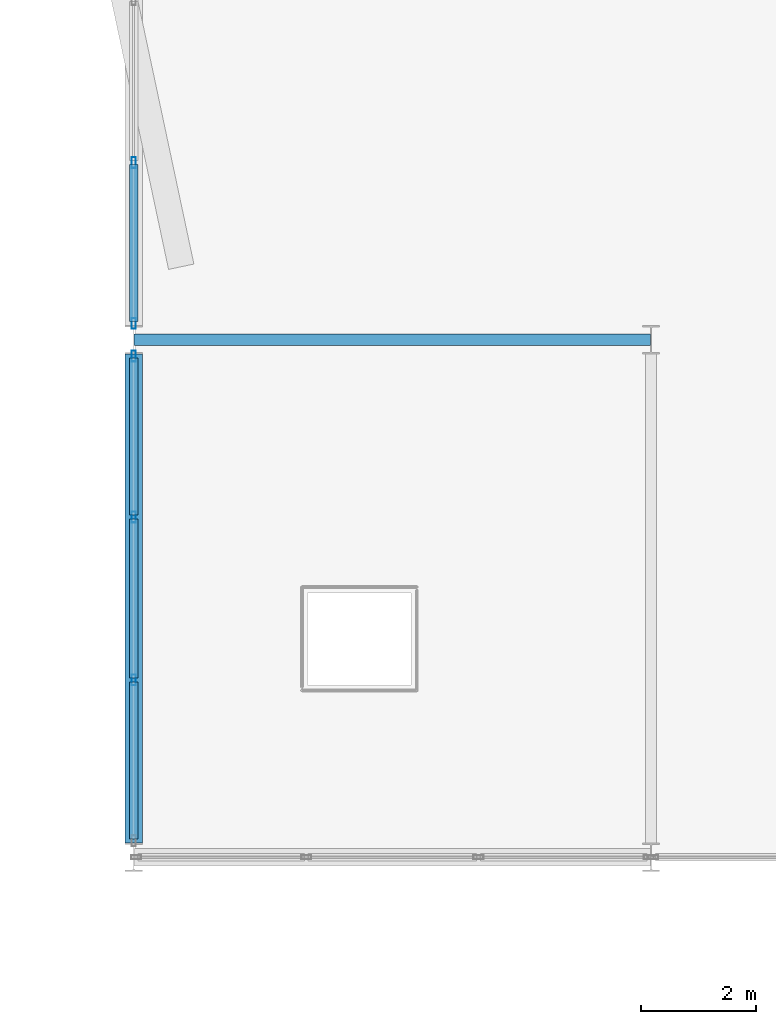
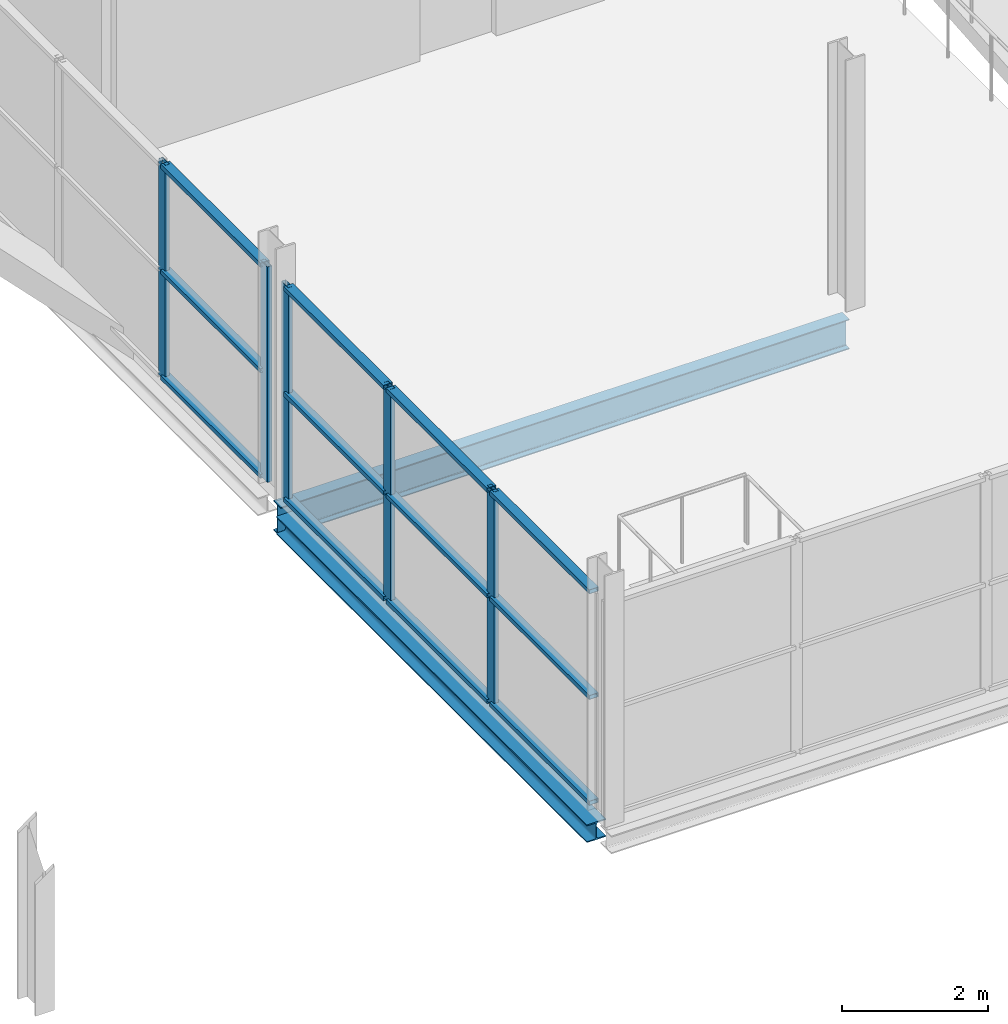
# One storey, part 56 of 132: 17 members, 2 beams, 2 elements without a shape of their own.
"""IFC4 building model written with IfcOpenShell, lengths in metres."""

from ifc_helpers import new_model, si_unit, direction, frame, origin, origin_2d, place, context, subcontext, project, spatial, hollow_rectangle, i_section, extrude, material, layer, layer_set, material_profile, profile_set, type_object, element, aggregate, save


model = new_model("IFC4")

# Units and contexts
model_context = context("Model", 3, precision=1e-05, world=origin(), true_north=direction((0.0, 1.0)))
body_context = subcontext(model_context, "Body", "Model", "MODEL_VIEW")
ifc_project = project(units=[si_unit("LENGTHUNIT", "METRE"), si_unit("AREAUNIT", "SQUARE_METRE"), si_unit("VOLUMEUNIT", "CUBIC_METRE"), si_unit("PLANEANGLEUNIT", "RADIAN"), si_unit("MASSUNIT", "GRAM", prefix="KILO")], contexts=[model_context])

# Site, building, storey
site_placement = place(None, origin())
site = spatial("IfcSite", under=ifc_project, at=site_placement, CompositionType="ELEMENT")
building_placement = place(site_placement, origin())
building = spatial("IfcBuilding", under=site, at=building_placement, Name="Deido Ridge Mobility Hub", CompositionType="ELEMENT")
storey_placement = place(building_placement, frame((0.0, 0.0, 8.39990234375)))
storey = spatial("IfcBuildingStorey", under=building, at=storey_placement, Name="L02", CompositionType="ELEMENT", Elevation=8.39990234375)

# Beam
ifc_material_1 = material(Name="Steel S355J2 EN 10025-2", Category="steel")
ifc_material_profile_1 = material_profile(ifc_material_1, i_section(OverallWidth=0.199951171875, OverallDepth=0.5, WebThickness=0.01025390625, FlangeThickness=0.01611328125, FilletRadius=0.02099609375, at=origin_2d()), Name="IPE 500")
ifc_profile_set_1 = profile_set([ifc_material_profile_1], Name="Steel S355J2 EN 10025-2")
beam_type_1 = type_object("IfcBeamType", Name="BM-IPE500", PredefinedType="BEAM", material=ifc_profile_set_1)
beam_1_placement = place(storey_placement, frame((72.007080078125, 54.0, -0.5048828125), z_axis=(1.0, 0.0, 0.0), x_axis=(0.0, 1.0, 0.0)))
element("IfcBeam", 1, at=beam_1_placement, inside=storey, type_object=beam_type_1, Name="Floor beam B3", PredefinedType="BEAM", context=body_context, shape_type="SweptSolid", body=[
    extrude(i_section(OverallWidth=0.199951171875, OverallDepth=0.5, WebThickness=0.01025390625, FlangeThickness=0.01611328125, FilletRadius=0.02099609375, at=origin_2d()), origin(), (0.0, 0.0, 1.0), 8.98583984375),
])

# Curtain wall, members
ifc_material_2 = material(Name="Anodised aluminium EN AW-6063 T6", Category="aluminium")
ifc_layer = layer(ifc_material_2, 0.195068359375, Name="Anodised aluminium EN AW-6063 T6")
ifc_layer_set = layer_set([ifc_layer], Name="Anodised aluminium EN AW-6063 T6")
curtain_wall_type = type_object("IfcCurtainWallType", Name="CW-UF-3", PredefinedType="USERDEFINED", material=ifc_layer_set)
curtain_wall_1_placement = place(storey_placement, origin())
curtain_wall_1 = element("IfcCurtainWall", 2, at=curtain_wall_1_placement, inside=storey, type_object=curtain_wall_type, Name="Unitised curtain wall CW3", ObjectType="UNITISED FACADE", PredefinedType="USERDEFINED")
ifc_material_profile_2 = material_profile(ifc_material_2, hollow_rectangle(XDim=0.070068359375, YDim=0.18994140625, WallThickness=0.00390625, at=origin_2d()), Name="RHS 70x190x4")
ifc_profile_set_2 = profile_set([ifc_material_profile_2], Name="Anodised aluminium EN AW-6063 T6")
member_type_1 = type_object("IfcMemberType", Name="MEM-MUL-70X190", PredefinedType="MULLION", material=ifc_profile_set_2)
member_1_placement = place(storey_placement, frame((72.0, 48.083251953125, 0.0), z_axis=(0.0, 0.0, 1.0), x_axis=(-1.0, 0.0, 0.0)))
member_1 = element("IfcMember", 3, at=member_1_placement, type_object=member_type_1, Name="CW3 mullion 2", PredefinedType="MULLION", context=body_context, shape_type="SweptSolid", body=[
    extrude(hollow_rectangle(XDim=0.070068359375, YDim=0.18994140625, WallThickness=0.00390625, at=origin_2d()), origin(), (0.0, 0.0, 1.0), 3.60009765625),
])
member_2_placement = place(storey_placement, frame((72.0, 50.916748046875, 0.0), z_axis=(0.0, 0.0, 1.0), x_axis=(-1.0, 0.0, 0.0)))
member_2 = element("IfcMember", 4, at=member_2_placement, type_object=member_type_1, Name="CW3 mullion 3", PredefinedType="MULLION", context=body_context, shape_type="SweptSolid", body=[
    extrude(hollow_rectangle(XDim=0.070068359375, YDim=0.18994140625, WallThickness=0.00390625, at=origin_2d()), origin(), (0.0, 0.0, 1.0), 3.60009765625),
])
member_3_placement = place(storey_placement, frame((72.0, 53.715087890625, 0.0), z_axis=(0.0, 0.0, 1.0), x_axis=(-1.0, 0.0, 0.0)))
member_3 = element("IfcMember", 5, at=member_3_placement, type_object=member_type_1, Name="CW3 mullion 4", PredefinedType="MULLION", context=body_context, shape_type="SweptSolid", body=[
    extrude(hollow_rectangle(XDim=0.070068359375, YDim=0.18994140625, WallThickness=0.00390625, at=origin_2d()), origin(), (0.0, 0.0, 1.0), 3.60009765625),
])

curtain_wall_2_placement = place(storey_placement, origin())
curtain_wall_2 = element("IfcCurtainWall", 6, at=curtain_wall_2_placement, inside=storey, type_object=curtain_wall_type, Name="Unitised curtain wall CW3", ObjectType="UNITISED FACADE", PredefinedType="USERDEFINED")
member_4_placement = place(storey_placement, frame((72.0, 54.284912109375, 0.0), z_axis=(0.0, 0.0, 1.0), x_axis=(-1.0, 0.0, 0.0)))
member_4 = element("IfcMember", 7, at=member_4_placement, type_object=member_type_1, Name="CW3 mullion 1", PredefinedType="MULLION", context=body_context, shape_type="SweptSolid", body=[
    extrude(hollow_rectangle(XDim=0.070068359375, YDim=0.18994140625, WallThickness=0.00390625, at=origin_2d()), origin(), (0.0, 0.0, 1.0), 3.60009765625),
])
member_5_placement = place(storey_placement, frame((72.0, 57.083251953125, 0.0), z_axis=(0.0, 0.0, 1.0), x_axis=(-1.0, 0.0, 0.0)))
member_5 = element("IfcMember", 8, at=member_5_placement, type_object=member_type_1, Name="CW3 mullion 2", PredefinedType="MULLION", context=body_context, shape_type="SweptSolid", body=[
    extrude(hollow_rectangle(XDim=0.070068359375, YDim=0.18994140625, WallThickness=0.00390625, at=origin_2d()), origin(), (0.0, 0.0, 1.0), 3.60009765625),
])

# Member
ifc_material_profile_3 = material_profile(ifc_material_2, hollow_rectangle(XDim=0.14501953125, YDim=0.070068359375, WallThickness=0.00390625, at=origin_2d()), Name="RHS 145x70x4")
ifc_profile_set_3 = profile_set([ifc_material_profile_3], Name="Anodised aluminium EN AW-6063 T6")
member_type_2 = type_object("IfcMemberType", Name="MEM-TRN-145X70", PredefinedType="USERDEFINED", material=ifc_profile_set_3)
member_6_placement = place(storey_placement, frame((72.0, 45.320068359375, 0.03515625), z_axis=(0.0, 1.0, 0.0), x_axis=(-1.0, 0.0, 0.0)))
member_6 = element("IfcMember", 9, at=member_6_placement, type_object=member_type_2, Name="CW3 transom 1.1", ObjectType="TRANSOM", PredefinedType="USERDEFINED", context=body_context, shape_type="SweptSolid", body=[
    extrude(hollow_rectangle(XDim=0.14501953125, YDim=0.070068359375, WallThickness=0.00390625, at=origin_2d()), origin(), (0.0, 0.0, 1.0), 2.728271484375),
])

member_7_placement = place(storey_placement, frame((72.0, 45.320068359375, 1.800048828125), z_axis=(0.0, 1.0, 0.0), x_axis=(-1.0, 0.0, 0.0)))
member_7 = element("IfcMember", 10, at=member_7_placement, type_object=member_type_2, Name="CW3 transom 1.2", ObjectType="TRANSOM", PredefinedType="USERDEFINED", context=body_context, shape_type="SweptSolid", body=[
    extrude(hollow_rectangle(XDim=0.14501953125, YDim=0.070068359375, WallThickness=0.00390625, at=origin_2d()), origin(), (0.0, 0.0, 1.0), 2.728271484375),
])

member_8_placement = place(storey_placement, frame((72.0, 45.320068359375, 3.565185546875), z_axis=(0.0, 1.0, 0.0), x_axis=(-1.0, 0.0, 0.0)))
member_8 = element("IfcMember", 11, at=member_8_placement, type_object=member_type_2, Name="CW3 transom 1.3", ObjectType="TRANSOM", PredefinedType="USERDEFINED", context=body_context, shape_type="SweptSolid", body=[
    extrude(hollow_rectangle(XDim=0.14501953125, YDim=0.070068359375, WallThickness=0.00390625, at=origin_2d()), origin(), (0.0, 0.0, 1.0), 2.728271484375),
])

member_9_placement = place(storey_placement, frame((72.0, 48.118408203125, 0.03515625), z_axis=(0.0, 1.0, 0.0), x_axis=(-1.0, 0.0, 0.0)))
member_9 = element("IfcMember", 12, at=member_9_placement, type_object=member_type_2, Name="CW3 transom 2.1", ObjectType="TRANSOM", PredefinedType="USERDEFINED", context=body_context, shape_type="SweptSolid", body=[
    extrude(hollow_rectangle(XDim=0.14501953125, YDim=0.070068359375, WallThickness=0.00390625, at=origin_2d()), origin(), (0.0, 0.0, 1.0), 2.76318359375),
])

member_10_placement = place(storey_placement, frame((72.0, 48.118408203125, 1.800048828125), z_axis=(0.0, 1.0, 0.0), x_axis=(-1.0, 0.0, 0.0)))
member_10 = element("IfcMember", 13, at=member_10_placement, type_object=member_type_2, Name="CW3 transom 2.2", ObjectType="TRANSOM", PredefinedType="USERDEFINED", context=body_context, shape_type="SweptSolid", body=[
    extrude(hollow_rectangle(XDim=0.14501953125, YDim=0.070068359375, WallThickness=0.00390625, at=origin_2d()), origin(), (0.0, 0.0, 1.0), 2.76318359375),
])

member_11_placement = place(storey_placement, frame((72.0, 48.118408203125, 3.565185546875), z_axis=(0.0, 1.0, 0.0), x_axis=(-1.0, 0.0, 0.0)))
member_11 = element("IfcMember", 14, at=member_11_placement, type_object=member_type_2, Name="CW3 transom 2.3", ObjectType="TRANSOM", PredefinedType="USERDEFINED", context=body_context, shape_type="SweptSolid", body=[
    extrude(hollow_rectangle(XDim=0.14501953125, YDim=0.070068359375, WallThickness=0.00390625, at=origin_2d()), origin(), (0.0, 0.0, 1.0), 2.76318359375),
])

member_12_placement = place(storey_placement, frame((72.0, 50.95166015625, 0.03515625), z_axis=(0.0, 1.0, 0.0), x_axis=(-1.0, 0.0, 0.0)))
member_12 = element("IfcMember", 15, at=member_12_placement, type_object=member_type_2, Name="CW3 transom 3.1", ObjectType="TRANSOM", PredefinedType="USERDEFINED", context=body_context, shape_type="SweptSolid", body=[
    extrude(hollow_rectangle(XDim=0.14501953125, YDim=0.070068359375, WallThickness=0.00390625, at=origin_2d()), origin(), (0.0, 0.0, 1.0), 2.728271484375),
])

member_13_placement = place(storey_placement, frame((72.0, 50.95166015625, 1.800048828125), z_axis=(0.0, 1.0, 0.0), x_axis=(-1.0, 0.0, 0.0)))
member_13 = element("IfcMember", 16, at=member_13_placement, type_object=member_type_2, Name="CW3 transom 3.2", ObjectType="TRANSOM", PredefinedType="USERDEFINED", context=body_context, shape_type="SweptSolid", body=[
    extrude(hollow_rectangle(XDim=0.14501953125, YDim=0.070068359375, WallThickness=0.00390625, at=origin_2d()), origin(), (0.0, 0.0, 1.0), 2.728271484375),
])

member_14_placement = place(storey_placement, frame((72.0, 50.95166015625, 3.565185546875), z_axis=(0.0, 1.0, 0.0), x_axis=(-1.0, 0.0, 0.0)))
member_14 = element("IfcMember", 17, at=member_14_placement, type_object=member_type_2, Name="CW3 transom 3.3", ObjectType="TRANSOM", PredefinedType="USERDEFINED", context=body_context, shape_type="SweptSolid", body=[
    extrude(hollow_rectangle(XDim=0.14501953125, YDim=0.070068359375, WallThickness=0.00390625, at=origin_2d()), origin(), (0.0, 0.0, 1.0), 2.728271484375),
])

aggregate(curtain_wall_1, [member_1, member_2, member_3, member_6, member_7, member_8, member_9, member_10, member_11, member_12, member_13, member_14])

member_15_placement = place(storey_placement, frame((72.0, 54.320068359375, 0.03515625), z_axis=(0.0, 1.0, 0.0), x_axis=(-1.0, 0.0, 0.0)))
member_15 = element("IfcMember", 18, at=member_15_placement, type_object=member_type_2, Name="CW3 transom 1.1", ObjectType="TRANSOM", PredefinedType="USERDEFINED", context=body_context, shape_type="SweptSolid", body=[
    extrude(hollow_rectangle(XDim=0.14501953125, YDim=0.070068359375, WallThickness=0.00390625, at=origin_2d()), origin(), (0.0, 0.0, 1.0), 2.728271484375),
])

member_16_placement = place(storey_placement, frame((72.0, 54.320068359375, 1.800048828125), z_axis=(0.0, 1.0, 0.0), x_axis=(-1.0, 0.0, 0.0)))
member_16 = element("IfcMember", 19, at=member_16_placement, type_object=member_type_2, Name="CW3 transom 1.2", ObjectType="TRANSOM", PredefinedType="USERDEFINED", context=body_context, shape_type="SweptSolid", body=[
    extrude(hollow_rectangle(XDim=0.14501953125, YDim=0.070068359375, WallThickness=0.00390625, at=origin_2d()), origin(), (0.0, 0.0, 1.0), 2.728271484375),
])

member_17_placement = place(storey_placement, frame((72.0, 54.320068359375, 3.565185546875), z_axis=(0.0, 1.0, 0.0), x_axis=(-1.0, 0.0, 0.0)))
member_17 = element("IfcMember", 20, at=member_17_placement, type_object=member_type_2, Name="CW3 transom 1.3", ObjectType="TRANSOM", PredefinedType="USERDEFINED", context=body_context, shape_type="SweptSolid", body=[
    extrude(hollow_rectangle(XDim=0.14501953125, YDim=0.070068359375, WallThickness=0.00390625, at=origin_2d()), origin(), (0.0, 0.0, 1.0), 2.728271484375),
])

aggregate(curtain_wall_2, [member_4, member_5, member_15, member_16, member_17])

# Beam
ifc_material_profile_4 = material_profile(ifc_material_1, i_section(OverallWidth=0.300048828125, OverallDepth=0.300048828125, WebThickness=0.010986328125, FlangeThickness=0.01904296875, FilletRadius=0.027099609375, at=origin_2d()), Name="HEB 300")
ifc_profile_set_4 = profile_set([ifc_material_profile_4], Name="Steel S355J2 EN 10025-2")
beam_type_2 = type_object("IfcBeamType", Name="SPD-HEB300", PredefinedType="SPANDREL", material=ifc_profile_set_4)
beam_2_placement = place(storey_placement, frame((72.0, 45.25, -0.40478515625), z_axis=(0.0, 1.0, 0.0), x_axis=(-1.0, 0.0, 0.0)))
element("IfcBeam", 21, at=beam_2_placement, inside=storey, type_object=beam_type_2, Name="Floor beam SP1", PredefinedType="SPANDREL", context=body_context, shape_type="SweptSolid", body=[
    extrude(i_section(OverallWidth=0.300048828125, OverallDepth=0.300048828125, WebThickness=0.010986328125, FlangeThickness=0.01904296875, FilletRadius=0.027099609375, at=origin_2d()), origin(), (0.0, 0.0, 1.0), 8.5),
])

save(model, "model.ifc")
